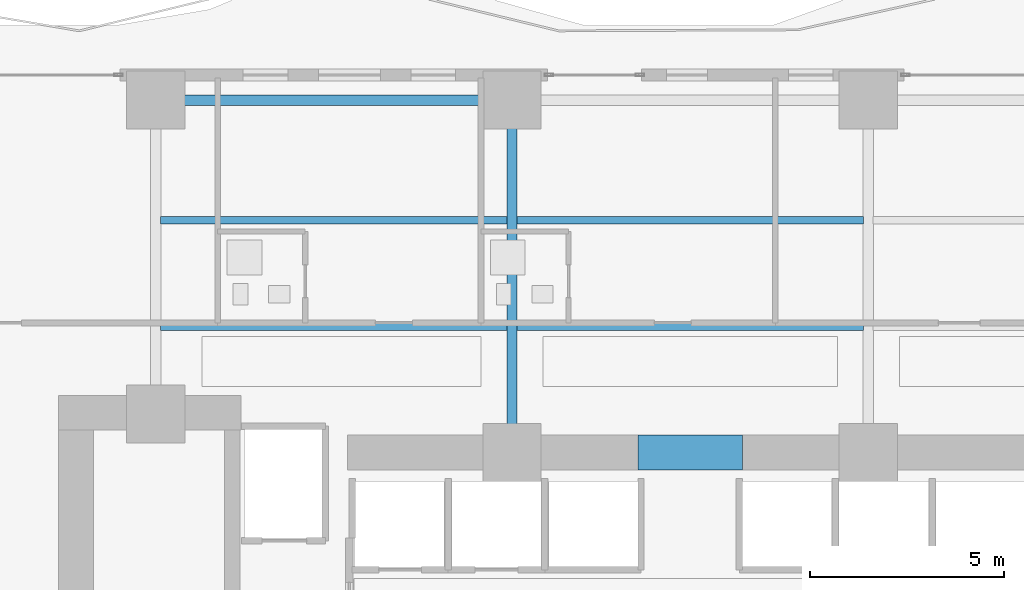
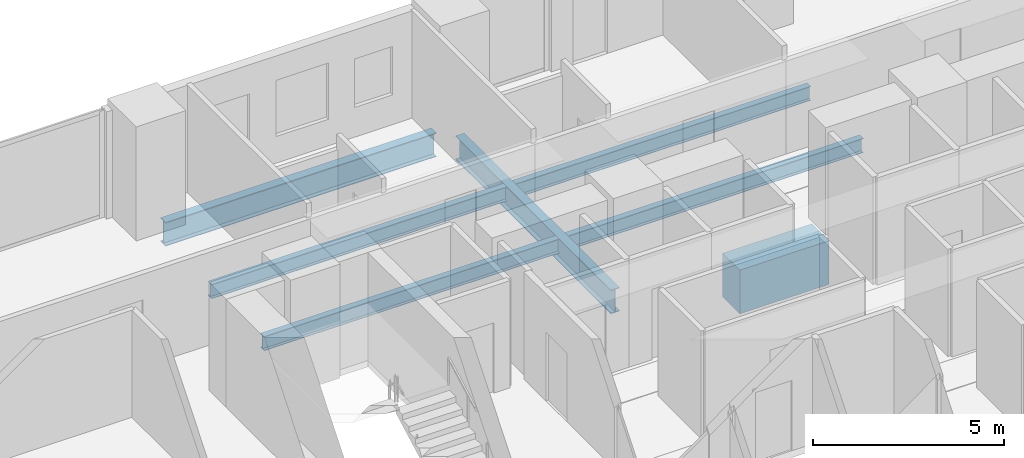
# One storey, part 14 of 28: 7 beams.
"""IFC4 building model written with IfcOpenShell, lengths in metres."""

import ifcopenshell
import ifcopenshell.guid

model = None  # the IFC model being written
_history = None  # IfcOwnerHistory: only IFC2X3 demands one
_inside = {}  # id of a spatial element -> (the spatial element, [elements in it])
_under = {}  # id of a project, library or spatial element -> (it, [spatial elements below it])
_declared = {}  # id of a project -> (the project, [libraries it declares])
_typed = {}  # id of a type object -> (the type object, [elements of that type])
_made_of = {}  # id of a material, layer set ... -> (it, [elements and type objects made of it])


def new_model(schema):
    """Start an empty IFC model of exactly this schema.

    Asked for "IFC4X3", IfcOpenShell would pick the latest addendum, in which some entities
    have other attributes; the version numbers below select the first issue.
    IFC2X3 requires an IfcOwnerHistory on every rooted entity: one is made here for all.
    """
    global model, _history
    if schema == "IFC4X3":
        model = ifcopenshell.file(schema_version=(4, 3, 0, 0))
    else:
        model = ifcopenshell.file(schema=schema)
    _inside.clear()
    _under.clear()
    _declared.clear()
    _typed.clear()
    _made_of.clear()
    _history = None
    if model.schema == "IFC2X3":
        org = make("IfcOrganization", Name="unknown")
        user = make(
            "IfcPersonAndOrganization",
            ThePerson=make("IfcPerson", FamilyName="unknown"),
            TheOrganization=org,
        )
        app = make(
            "IfcApplication",
            ApplicationDeveloper=org,
            Version="unknown",
            ApplicationFullName="unknown",
            ApplicationIdentifier="unknown",
        )
        _history = make(
            "IfcOwnerHistory",
            OwningUser=user,
            OwningApplication=app,
            ChangeAction="ADDED",
            CreationDate=0,
        )
    return model


def make(cls, **values):
    """One entity of the class cls with the attributes given. An attribute that is None is left unset."""
    return model.create_entity(
        cls, **{name: value for name, value in values.items() if value is not None}
    )


def rooted(cls, **values):
    """An entity with a GlobalId (a new one), such as an element, a storey or a relation."""
    return make(cls, GlobalId=ifcopenshell.guid.new(), OwnerHistory=_history, **values)


def si_unit(unit_type, name, prefix=None):
    """IfcSIUnit, for example si_unit("LENGTHUNIT", "METRE", prefix="MILLI")."""
    return make("IfcSIUnit", UnitType=unit_type, Prefix=prefix, Name=name)


def assignment(units):
    """IfcUnitAssignment: the units of a project."""
    return None if units is None else make("IfcUnitAssignment", Units=units)


def point(xyz):
    """IfcCartesianPoint."""
    return None if xyz is None else make("IfcCartesianPoint", Coordinates=xyz)


def direction(xyz):
    """IfcDirection."""
    return None if xyz is None else make("IfcDirection", DirectionRatios=xyz)


def frame(location, z_axis=None, x_axis=None):
    """IfcAxis2Placement3D, a coordinate frame: its origin and axes. An axis left out is left unset."""
    return make(
        "IfcAxis2Placement3D",
        Location=point(location),
        Axis=direction(z_axis),
        RefDirection=direction(x_axis),
    )


def frame_2d(location, x_axis=None):
    """IfcAxis2Placement2D, a coordinate frame in the plane: its origin and x axis."""
    return make(
        "IfcAxis2Placement2D", Location=point(location), RefDirection=direction(x_axis)
    )


def origin():
    """The frame at (0, 0, 0) with its axes left unset."""
    return frame((0.0, 0.0, 0.0))


def origin_2d():
    """The frame at (0, 0) in the plane with its x axis left unset."""
    return frame_2d((0.0, 0.0))


def place(relative_to, where):
    """IfcLocalPlacement: puts the frame where relative to a parent placement (None: the world)."""
    return make(
        "IfcLocalPlacement", PlacementRelTo=relative_to, RelativePlacement=where
    )


def context(
    kind, dimensions, precision=None, world=None, true_north=None, identifier=None
):
    """IfcGeometricRepresentationContext, for example the 3D "Model" context."""
    return make(
        "IfcGeometricRepresentationContext",
        ContextIdentifier=identifier,
        ContextType=kind,
        CoordinateSpaceDimension=dimensions,
        Precision=precision,
        WorldCoordinateSystem=world,
        TrueNorth=true_north,
    )


def subcontext(parent, identifier, kind, view, scale=None):
    """IfcGeometricRepresentationSubContext, for example "Body" below "Model"."""
    return make(
        "IfcGeometricRepresentationSubContext",
        ContextIdentifier=identifier,
        ContextType=kind,
        ParentContext=parent,
        TargetScale=scale,
        TargetView=view,
    )


def project(units=None, contexts=None):
    """IfcProject with its units and contexts."""
    return rooted(
        "IfcProject",
        Name="project",
        RepresentationContexts=contexts,
        UnitsInContext=assignment(units),
    )


def spatial(cls, under=None, at=None, **own):
    """A site, building, storey or space (cls), placed at a placement, below another one or the project."""
    s = rooted(cls, ObjectPlacement=at, **own)
    if under is not None:
        _under.setdefault(under.id(), (under, []))[1].append(s)
    return s


def profile(cls, at=None, kind="AREA", **sizes):
    """A parametric profile (cls). Its sizes go by their IFC names, for example OverallWidth=200.0."""
    return make(cls, ProfileType=kind, Position=at, **sizes)


def rectangle(**sizes):
    """IfcRectangleProfileDef."""
    return profile("IfcRectangleProfileDef", **sizes)


def i_section(**sizes):
    """IfcIShapeProfileDef."""
    return profile("IfcIShapeProfileDef", **sizes)


def extrude(swept, where, along, depth):
    """IfcExtrudedAreaSolid: the profile swept, set in the frame where, extruded along a direction by depth."""
    return make(
        "IfcExtrudedAreaSolid",
        SweptArea=swept,
        Position=where,
        ExtrudedDirection=direction(along),
        Depth=depth,
    )


def shape(context_of_items, identifier, shape_type, items):
    """IfcShapeRepresentation: the items that make up one representation, for example the "Body"."""
    return make(
        "IfcShapeRepresentation",
        ContextOfItems=context_of_items,
        RepresentationIdentifier=identifier,
        RepresentationType=shape_type,
        Items=items,
    )


def material(Name=None, Category=None):
    """IfcMaterial."""
    return make("IfcMaterial", Name=Name, Category=Category)


def material_profile(
    of_material, cross_section, Name=None, Category=None, Priority=None
):
    """IfcMaterialProfile: a cross section and its material."""
    return make(
        "IfcMaterialProfile",
        Name=Name,
        Material=of_material,
        Profile=cross_section,
        Priority=Priority,
        Category=Category,
    )


def profile_set(profiles, Name=None, composite=None):
    """IfcMaterialProfileSet."""
    return make(
        "IfcMaterialProfileSet",
        Name=Name,
        MaterialProfiles=profiles,
        CompositeProfile=composite,
    )


def made_of(thing, what):
    """Note that an element or type object is made of a material, layer set ...; save() writes the relation."""
    if what is not None:
        _made_of.setdefault(what.id(), (what, []))[1].append(thing)
    return thing


def type_object(cls, material=None, **own):
    """A type object (cls), such as IfcWallType, which elements share."""
    return made_of(rooted(cls, **own), material)


def element(
    cls,
    number,
    at=None,
    inside=None,
    cuts=None,
    type_object=None,
    material=None,
    context=None,
    identifier="Body",
    shape_type=None,
    held_by="IfcProductDefinitionShape",
    body=None,
    shapes=None,
    **own,
):
    """One element of the class cls, such as IfcWall. Its Tag is "e" and its number.

    at: its placement. inside: the storey or other place that contains it. cuts: it is an
    opening in that element (IfcRelVoidsElement). A single representation is given by context,
    identifier, shape_type and body (its items); several are given by shapes. held_by: the class
    of the entity that holds the representations. save() writes the other relations.
    """
    e = rooted(cls, Tag="e%d" % number, ObjectPlacement=at, **own)
    if body is not None:
        shapes = [shape(context, identifier, shape_type, body)]
    if shapes is not None:
        e.Representation = make(held_by, Representations=shapes)
    if inside is not None:
        _inside.setdefault(inside.id(), (inside, []))[1].append(e)
    if cuts is not None:
        rooted(
            "IfcRelVoidsElement", RelatingBuildingElement=cuts, RelatedOpeningElement=e
        )
    if type_object is not None:
        _typed.setdefault(type_object.id(), (type_object, []))[1].append(e)
    return made_of(e, material)


def aggregate(whole, parts):
    """IfcRelAggregates: a whole, such as a stair, and the parts it consists of."""
    return rooted("IfcRelAggregates", RelatingObject=whole, RelatedObjects=parts)


def save(model, path):
    """Write the relations noted so far, then the file.

    IfcRelAggregates (storeys below a building ...), IfcRelContainedInSpatialStructure (elements
    in a storey), IfcRelDefinesByType, IfcRelAssociatesMaterial and IfcRelDeclares: one each for
    every whole, place, type object, material and project.
    """
    for whole, parts in _under.values():
        aggregate(whole, parts)
    for where, things in _inside.values():
        rooted(
            "IfcRelContainedInSpatialStructure",
            RelatedElements=things,
            RelatingStructure=where,
        )
    for kind, things in _typed.values():
        rooted("IfcRelDefinesByType", RelatedObjects=things, RelatingType=kind)
    for what, things in _made_of.values():
        rooted("IfcRelAssociatesMaterial", RelatedObjects=things, RelatingMaterial=what)
    for by, libraries in _declared.values():
        rooted("IfcRelDeclares", RelatingContext=by, RelatedDefinitions=libraries)
    model.write(path)


model = new_model("IFC4")

# Units and contexts
model_context = context("Model", 3, precision=1e-05, world=origin(), true_north=direction((0.0, 1.0)))
body_context = subcontext(model_context, "Body", "Model", "MODEL_VIEW")
ifc_project = project(units=[si_unit("LENGTHUNIT", "METRE"), si_unit("AREAUNIT", "SQUARE_METRE"), si_unit("VOLUMEUNIT", "CUBIC_METRE"), si_unit("PLANEANGLEUNIT", "RADIAN"), si_unit("MASSUNIT", "GRAM", prefix="KILO")], contexts=[model_context])

# Site, building, storey
site_placement = place(None, origin())
site = spatial("IfcSite", under=ifc_project, at=site_placement, CompositionType="ELEMENT")
building_placement = place(site_placement, origin())
building = spatial("IfcBuilding", under=site, at=building_placement, Name="Zuhayl Quay Hotel", CompositionType="ELEMENT")
storey_placement = place(building_placement, frame((0.0, 0.0, 53.14990234375)))
storey = spatial("IfcBuildingStorey", under=building, at=storey_placement, Name="L12", CompositionType="ELEMENT", Elevation=53.14990234375)

# Beams
ifc_material_1 = material(Name="Steel ASTM A992 Grade 50", Category="steel")
ifc_material_profile_1 = material_profile(ifc_material_1, i_section(OverallWidth=0.26708984375, OverallDepth=0.761962890625, WebThickness=0.014404296875, FlangeThickness=0.021484375, at=origin_2d()), Name="W30X116")
ifc_profile_set_1 = profile_set([ifc_material_profile_1], Name="Steel ASTM A992 Grade 50")
beam_type_1 = type_object("IfcBeamType", Name="BM_B1_W30X116", PredefinedType="BEAM", material=ifc_profile_set_1)
beam_1_placement = place(storey_placement, frame((-5.10009765625, 22.449951171875, -0.600830078125), z_axis=(-1.0, 0.0, 0.0), x_axis=(0.0, -1.0, 0.0)))
element("IfcBeam", 1, at=beam_1_placement, inside=storey, type_object=beam_type_1, Name="L12 Floor Beam RG_L12_09", PredefinedType="BEAM", context=body_context, shape_type="SweptSolid", body=[
    extrude(i_section(OverallWidth=0.26708984375, OverallDepth=0.761962890625, WebThickness=0.014404296875, FlangeThickness=0.021484375, at=origin_2d()), origin(), (0.0, 0.0, 1.0), 8.199951171875),
])
beam_2_placement = place(storey_placement, frame((-4.60009765625, 13.800048828125, -0.600830078125), z_axis=(0.0, 1.0, 0.0), x_axis=(-1.0, 0.0, 0.0)))
element("IfcBeam", 2, at=beam_2_placement, inside=storey, type_object=beam_type_1, Name="L12 Floor Beam FG_N_L12_2", PredefinedType="BEAM", context=body_context, shape_type="SweptSolid", body=[
    extrude(i_section(OverallWidth=0.26708984375, OverallDepth=0.761962890625, WebThickness=0.014404296875, FlangeThickness=0.021484375, at=origin_2d()), origin(), (0.0, 0.0, 1.0), 8.14990234375),
])
ifc_material_2 = material(Name="Concrete C60/75", Category="concrete")
ifc_material_profile_2 = material_profile(ifc_material_2, rectangle(XDim=0.89990234375, YDim=1.39990234375, at=origin_2d()), Name="RC900X1400")
ifc_profile_set_2 = profile_set([ifc_material_profile_2], Name="Concrete C60/75")
beam_type_2 = type_object("IfcBeamType", Name="BM_CB1_RC900", PredefinedType="T_BEAM", material=ifc_profile_set_2)
beam_3_placement = place(storey_placement, frame((-1.35009765625, 13.35009765625, -0.919921875), z_axis=(1.0, 0.0, 0.0), x_axis=(0.0, 1.0, 0.0)))
element("IfcBeam", 3, at=beam_3_placement, inside=storey, type_object=beam_type_2, Name="L12 Core Coupling Beam North", PredefinedType="T_BEAM", context=body_context, shape_type="SweptSolid", body=[
    extrude(rectangle(XDim=0.89990234375, YDim=1.39990234375, at=origin_2d()), origin(), (0.0, 0.0, 1.0), 2.7001953125),
])
ifc_material_profile_3 = material_profile(ifc_material_1, i_section(OverallWidth=0.18994140625, OverallDepth=0.45703125, WebThickness=0.009033203125, FlangeThickness=0.014404296875, at=origin_2d()), Name="W18X50")
ifc_profile_set_3 = profile_set([ifc_material_profile_3], Name="Steel ASTM A992 Grade 50")
beam_type_3 = type_object("IfcBeamType", Name="BM_J2_W18X50", PredefinedType="JOIST", material=ifc_profile_set_3)
beam_4_placement = place(storey_placement, frame((-13.674560546875, 16.60009765625, -0.448486328125), z_axis=(1.0, 0.0, 0.0), x_axis=(0.0, 1.0, 0.0)))
element("IfcBeam", 4, at=beam_4_placement, inside=storey, type_object=beam_type_3, Name="L12 Floor Beam FJ_L12_1_1", PredefinedType="JOIST", context=body_context, shape_type="SweptSolid", body=[
    extrude(i_section(OverallWidth=0.18994140625, OverallDepth=0.45703125, WebThickness=0.009033203125, FlangeThickness=0.014404296875, at=origin_2d()), origin(), (0.0, 0.0, 1.0), 8.948974609375),
])
beam_5_placement = place(storey_placement, frame((-4.474609375, 16.60009765625, -0.448486328125), z_axis=(1.0, 0.0, 0.0), x_axis=(0.0, 1.0, 0.0)))
element("IfcBeam", 5, at=beam_5_placement, inside=storey, type_object=beam_type_3, Name="L12 Floor Beam FJ_L12_1_2", PredefinedType="JOIST", context=body_context, shape_type="SweptSolid", body=[
    extrude(i_section(OverallWidth=0.18994140625, OverallDepth=0.45703125, WebThickness=0.009033203125, FlangeThickness=0.014404296875, at=origin_2d()), origin(), (0.0, 0.0, 1.0), 8.94921875),
])
beam_6_placement = place(storey_placement, frame((-13.674560546875, 19.35009765625, -0.448486328125), z_axis=(1.0, 0.0, 0.0), x_axis=(0.0, 1.0, 0.0)))
element("IfcBeam", 6, at=beam_6_placement, inside=storey, type_object=beam_type_3, Name="L12 Floor Beam FJ_L12_2_1", PredefinedType="JOIST", context=body_context, shape_type="SweptSolid", body=[
    extrude(i_section(OverallWidth=0.18994140625, OverallDepth=0.45703125, WebThickness=0.009033203125, FlangeThickness=0.014404296875, at=origin_2d()), origin(), (0.0, 0.0, 1.0), 8.948974609375),
])
beam_7_placement = place(storey_placement, frame((-4.474609375, 19.35009765625, -0.448486328125), z_axis=(1.0, 0.0, 0.0), x_axis=(0.0, 1.0, 0.0)))
element("IfcBeam", 7, at=beam_7_placement, inside=storey, type_object=beam_type_3, Name="L12 Floor Beam FJ_L12_2_2", PredefinedType="JOIST", context=body_context, shape_type="SweptSolid", body=[
    extrude(i_section(OverallWidth=0.18994140625, OverallDepth=0.45703125, WebThickness=0.009033203125, FlangeThickness=0.014404296875, at=origin_2d()), origin(), (0.0, 0.0, 1.0), 8.94921875),
])

save(model, "model.ifc")
